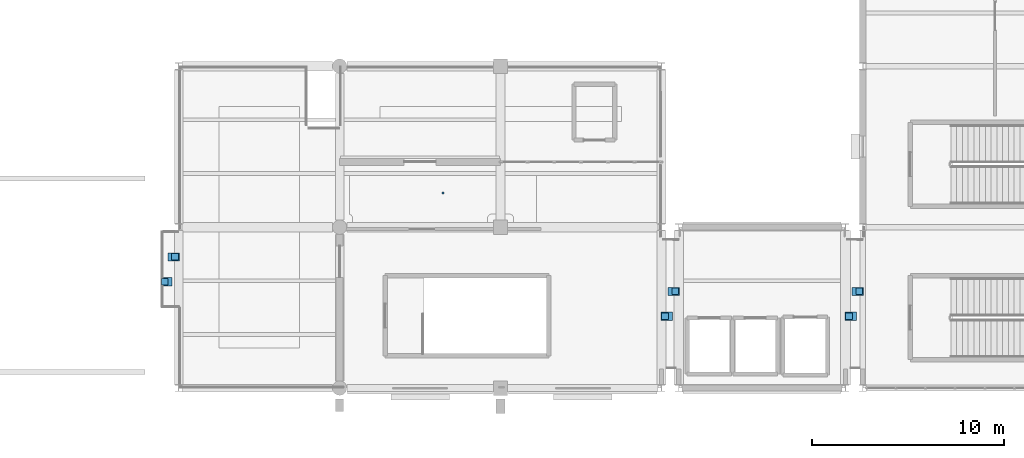
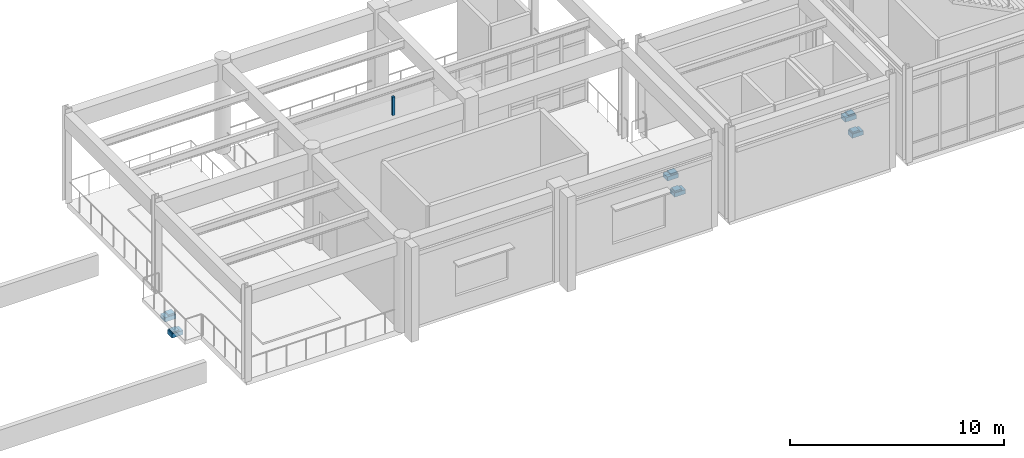
# One storey, part 69 of 80: 13 discrete accessories.
"""IFC4 building model written with IfcOpenShell, lengths in metres."""

from ifc_helpers import new_model, si_unit, direction, frame, origin, origin_2d, place, context, subcontext, project, spatial, rectangle, extrude, material, layer, layer_set, type_object, element, save


model = new_model("IFC4")

# Units and contexts
model_context = context("Model", 3, precision=1e-05, world=origin(), true_north=direction((0.0, 1.0)))
body_context = subcontext(model_context, "Body", "Model", "MODEL_VIEW")
ifc_project = project(units=[si_unit("LENGTHUNIT", "METRE"), si_unit("AREAUNIT", "SQUARE_METRE"), si_unit("VOLUMEUNIT", "CUBIC_METRE"), si_unit("PLANEANGLEUNIT", "RADIAN"), si_unit("MASSUNIT", "GRAM", prefix="KILO")], contexts=[model_context])

# Site, building, storey
site_placement = place(None, origin())
site = spatial("IfcSite", under=ifc_project, at=site_placement, CompositionType="ELEMENT")
building_placement = place(site_placement, origin())
building = spatial("IfcBuilding", under=site, at=building_placement, Name="Canglan Escarpment Cableway Terminal", CompositionType="ELEMENT")
storey_placement = place(building_placement, frame((0.0, 0.0, 19.199951171875)))
storey = spatial("IfcBuildingStorey", under=building, at=storey_placement, Name="L04", CompositionType="ELEMENT", Elevation=19.199951171875)

# Discrete accessories
ifc_material_1 = material(Name="Steel Q355B", Category="steel")
ifc_layer_1 = layer(ifc_material_1, 0.159912109375, Name="Steel Q355B")
ifc_layer_set_1 = layer_set([ifc_layer_1], Name="Steel Q355B")
discrete_accessory_type_1 = type_object("IfcDiscreteAccessoryType", Name="ACC-BRACKET-01", PredefinedType="BRACKET", material=ifc_layer_set_1)
discrete_accessory_placement = place(storey_placement, frame((125.300048828125, 18.179931640625, 4.1201171875), z_axis=(0.0, 0.0, 1.0), x_axis=(1.0, 0.0, 0.0)))
element("IfcDiscreteAccessory", 1, at=discrete_accessory_placement, inside=storey, type_object=discrete_accessory_type_1, Name="Suspended ceiling hanger bracket BK-01", PredefinedType="BRACKET", context=body_context, shape_type="SweptSolid", body=[
    extrude(rectangle(XDim=0.1201171875, YDim=0.1201171875, at=origin_2d()), origin(), (0.0, 0.0, 1.0), 1.06005859375),
])
ifc_material_2 = material(Name="Concrete C40", Category="concrete")
ifc_layer_2 = layer(ifc_material_2, 0.239990234375, Name="Concrete C40")
ifc_layer_set_2 = layer_set([ifc_layer_2], Name="Concrete C40")
discrete_accessory_type_2 = type_object("IfcDiscreteAccessoryType", Name="ACC-CORBEL-CB01", PredefinedType="BRACKET", material=ifc_layer_set_2)
for number, where, z_axis, x_axis, name in (
    (2, (110.860107421875, 13.550048828125, -0.5400390625), (0.0, 0.0, 1.0), (1.0, 0.0, 0.0), "Concrete C40 movement-joint corbel bearing ledge CB-01"),
    (3, (111.235107421875, 14.85009765625, -0.5400390625), (0.0, 0.0, 1.0), (1.0, 0.0, 0.0), "Concrete C40 movement-joint corbel bearing ledge CB-01"),
    (4, (136.965087890625, 11.75, -0.5400390625), (0.0, 0.0, 1.0), (1.0, 0.0, 0.0), "Concrete C40 movement-joint corbel bearing ledge CB-01"),
    (5, (137.3349609375, 13.050048828125, -0.5400390625), (0.0, 0.0, 1.0), (1.0, 0.0, 0.0), "Concrete C40 movement-joint corbel bearing ledge CB-01"),
    (6, (146.56494140625, 11.75, -0.5400390625), (0.0, 0.0, 1.0), (1.0, 0.0, 0.0), "Concrete C40 movement-joint corbel bearing ledge CB-01"),
    (7, (146.93505859375, 13.050048828125, -0.5400390625), (0.0, 0.0, 1.0), (1.0, 0.0, 0.0), "Concrete C40 movement-joint corbel bearing ledge CB-01"),
):
    element("IfcDiscreteAccessory", number, at=place(storey_placement, frame(where, z_axis=z_axis, x_axis=x_axis)), inside=storey, type_object=discrete_accessory_type_2, Name=name, PredefinedType="BRACKET", context=body_context, shape_type="SweptSolid", body=[
        extrude(rectangle(XDim=0.60009765625, YDim=0.419921875, at=origin_2d()), origin(), (0.0, 0.0, 1.0), 0.239990234375),
    ])
ifc_material_3 = material(Name="Stainless steel and PTFE elastomer", Category="steel")
ifc_layer_3 = layer(ifc_material_3, 0.080078125, Name="Stainless steel and PTFE elastomer")
ifc_layer_set_3 = layer_set([ifc_layer_3], Name="Stainless steel and PTFE elastomer")
discrete_accessory_type_3 = type_object("IfcDiscreteAccessoryType", Name="BRG-SLIDING-MJ01", PredefinedType="USERDEFINED", material=ifc_layer_set_3)
for number, where, z_axis, x_axis, name in (
    (8, (110.780029296875, 13.550048828125, -0.300048828125), (0.0, 0.0, 1.0), (1.0, 0.0, 0.0), "Unguided PTFE-elastomeric sliding bearing pad MJ-01"),
    (9, (111.31494140625, 14.85009765625, -0.300048828125), (0.0, 0.0, 1.0), (1.0, 0.0, 0.0), "Unguided PTFE-elastomeric sliding bearing pad MJ-01"),
    (10, (136.885009765625, 11.75, -0.300048828125), (0.0, 0.0, 1.0), (1.0, 0.0, 0.0), "Unguided PTFE-elastomeric sliding bearing pad MJ-01"),
    (11, (137.4150390625, 13.050048828125, -0.300048828125), (0.0, 0.0, 1.0), (1.0, 0.0, 0.0), "Unguided PTFE-elastomeric sliding bearing pad MJ-01"),
    (12, (146.485107421875, 11.75, -0.300048828125), (0.0, 0.0, 1.0), (1.0, 0.0, 0.0), "Unguided PTFE-elastomeric sliding bearing pad MJ-01"),
    (13, (147.014892578125, 13.050048828125, -0.300048828125), (0.0, 0.0, 1.0), (1.0, 0.0, 0.0), "Unguided PTFE-elastomeric sliding bearing pad MJ-01"),
):
    element("IfcDiscreteAccessory", number, at=place(storey_placement, frame(where, z_axis=z_axis, x_axis=x_axis)), inside=storey, type_object=discrete_accessory_type_3, Name=name, ObjectType="SLIDING BEARING", PredefinedType="USERDEFINED", context=body_context, shape_type="SweptSolid", body=[
        extrude(rectangle(XDim=0.35009765625, YDim=0.35009765625, at=origin_2d()), origin(), (0.0, 0.0, 1.0), 0.080078125),
    ])

save(model, "model.ifc")
